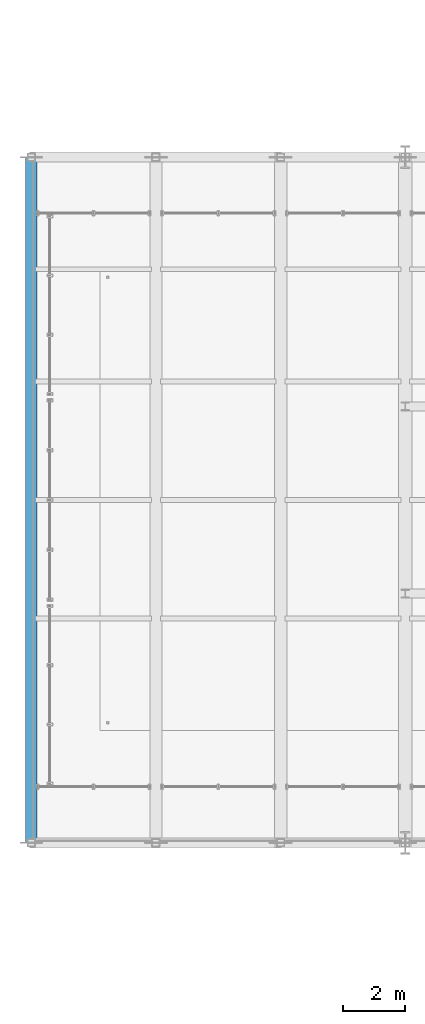
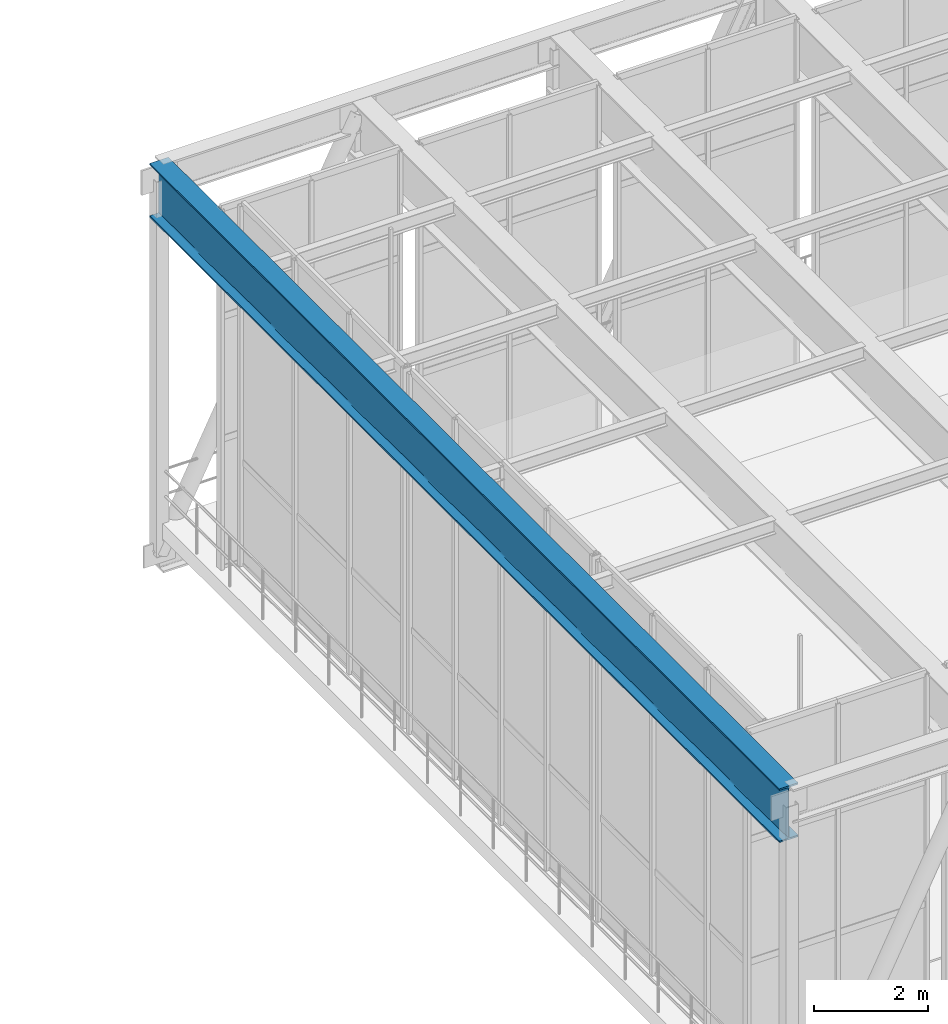
# One storey, part 23 of 138: 1 beam.
"""IFC4 building model written with IfcOpenShell, lengths in metres."""

from ifc_helpers import new_model, si_unit, direction, frame, origin, origin_2d, place, context, subcontext, project, spatial, i_section, extrude, material, material_profile, profile_set, type_object, element, save


model = new_model("IFC4")

# Units and contexts
model_context = context("Model", 3, precision=1e-05, world=origin(), true_north=direction((0.0, 1.0)))
body_context = subcontext(model_context, "Body", "Model", "MODEL_VIEW")
ifc_project = project(units=[si_unit("LENGTHUNIT", "METRE"), si_unit("AREAUNIT", "SQUARE_METRE"), si_unit("VOLUMEUNIT", "CUBIC_METRE"), si_unit("PLANEANGLEUNIT", "RADIAN"), si_unit("MASSUNIT", "GRAM", prefix="KILO")], contexts=[model_context])

# Site, building, storey
site_placement = place(None, origin())
site = spatial("IfcSite", under=ifc_project, at=site_placement, CompositionType="ELEMENT")
building_placement = place(site_placement, origin())
building = spatial("IfcBuilding", under=site, at=building_placement, Name="Sundkrona Museum", CompositionType="ELEMENT")
storey_placement = place(building_placement, frame((0.0, 0.0, 9.60009765625)))
storey = spatial("IfcBuildingStorey", under=building, at=storey_placement, Name="L02", CompositionType="ELEMENT", Elevation=9.60009765625)

# Beam
ifc_material = material(Name="Steel S460M", Category="steel")
ifc_material_profile = material_profile(ifc_material, i_section(OverallWidth=0.3798828125, OverallDepth=1.14990234375, WebThickness=0.01806640625, FlangeThickness=0.033935546875, FilletRadius=0.02392578125, at=origin_2d()), Name="PG 1150x380")
ifc_profile_set = profile_set([ifc_material_profile], Name="Steel S460M")
beam_type = type_object("IfcBeamType", Name="TG-HEB700", PredefinedType="USERDEFINED", material=ifc_profile_set)
beam_placement = place(storey_placement, frame((4.0, 32.0, 7.099853515625), z_axis=(0.0, 1.0, 0.0), x_axis=(-1.0, 0.0, 0.0)))
element("IfcBeam", 1, at=beam_placement, inside=storey, type_object=beam_type, Name="TG-2 L02 Cantilever Cross Transfer Girder X=4", ObjectType="TRANSFER GIRDER", PredefinedType="USERDEFINED", context=body_context, shape_type="SweptSolid", body=[
    extrude(i_section(OverallWidth=0.3798828125, OverallDepth=1.14990234375, WebThickness=0.01806640625, FlangeThickness=0.033935546875, FilletRadius=0.02392578125, at=origin_2d()), origin(), (0.0, 0.0, 1.0), 22.0),
])

save(model, "model.ifc")
